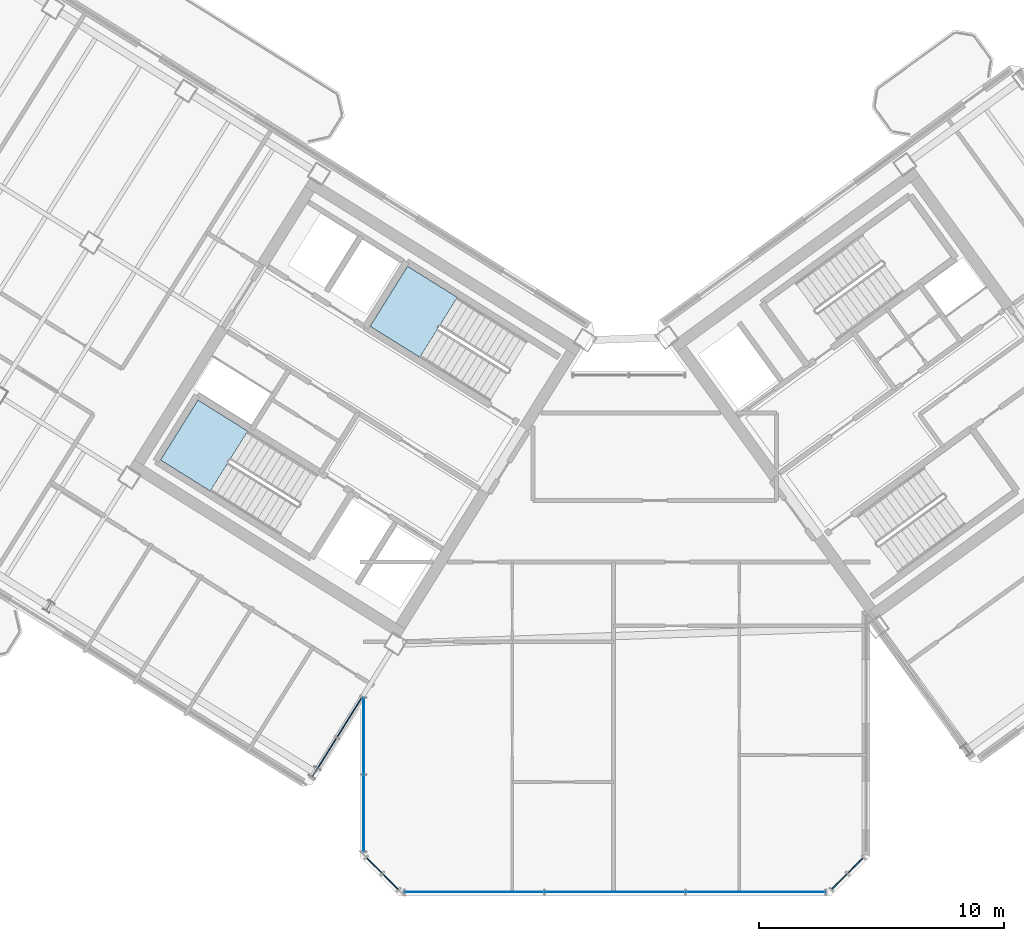
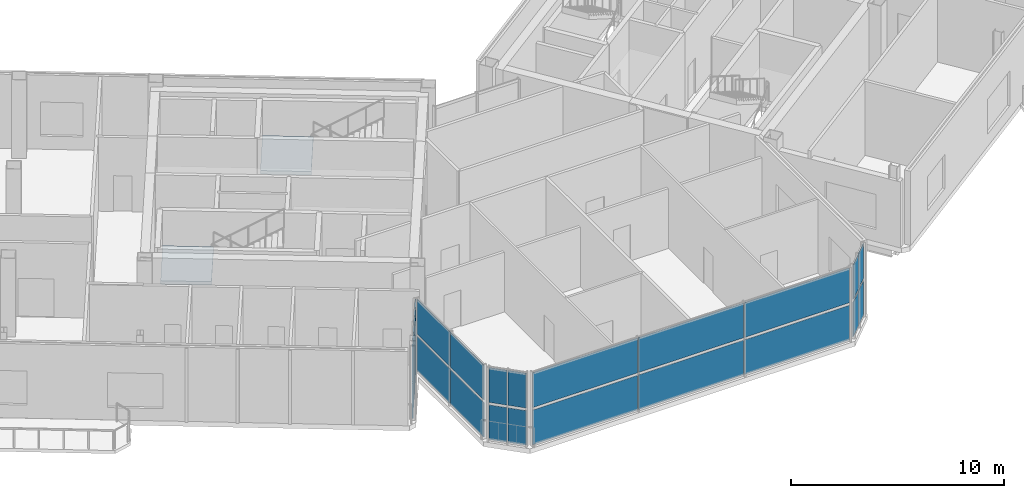
# One storey, part 14 of 27: 22 plates, 2 slabs, 7 elements without a shape of their own.
"""IFC4 building model written with IfcOpenShell, lengths in metres."""

from ifc_helpers import new_model, si_unit, direction, frame, origin, origin_2d, place, context, subcontext, project, spatial, polyline, rectangle, outline, extrude, source, transform, mapped, material, layer, layer_set, type_object, element, aggregate, save


model = new_model("IFC4")

# Units and contexts
model_context = context("Model", 3, precision=1e-05, world=origin(), true_north=direction((0.0, 1.0)))
body_context = subcontext(model_context, "Body", "Model", "MODEL_VIEW")
ifc_project = project(units=[si_unit("LENGTHUNIT", "METRE"), si_unit("AREAUNIT", "SQUARE_METRE"), si_unit("VOLUMEUNIT", "CUBIC_METRE"), si_unit("PLANEANGLEUNIT", "RADIAN"), si_unit("MASSUNIT", "GRAM", prefix="KILO")], contexts=[model_context])

# Site, building, storey
site_placement = place(None, origin())
site = spatial("IfcSite", under=ifc_project, at=site_placement, CompositionType="ELEMENT")
building_placement = place(site_placement, origin())
building = spatial("IfcBuilding", under=site, at=building_placement, Name="Tlacorven Tower", CompositionType="ELEMENT")
storey_placement = place(building_placement, frame((0.0, 0.0, 254.699951171875)))
storey = spatial("IfcBuildingStorey", under=building, at=storey_placement, Name="L64", CompositionType="ELEMENT", Elevation=254.699951171875)

# Stair, slab
ifc_material_1 = material(Name="Concrete C40/50", Category="concrete")
stair_type = type_object("IfcStairType", Name="ST-CORE-DLG", PredefinedType="HALF_TURN_STAIR", material=ifc_material_1)
stair_1_placement = place(storey_placement, origin())
stair_1 = element("IfcStair", 1, at=stair_1_placement, inside=storey, type_object=stair_type, Name="L64 Protected Exit Stair West 1", PredefinedType="HALF_TURN_STAIR")
ifc_layer_1 = layer(ifc_material_1, 0.199951171875)
ifc_layer_set_1 = layer_set([ifc_layer_1], Name="Concrete C40/50")
slab_type = type_object("IfcSlabType", Name="SL-LND-200", PredefinedType="LANDING", material=ifc_layer_set_1)
slab_1_placement = place(storey_placement, frame((0.0, 0.0, 2.050048828125)))
slab_1 = element("IfcSlab", 2, at=slab_1_placement, type_object=slab_type, Name="ST-W1 landing 1", PredefinedType="LANDING", context=body_context, shape_type="SweptSolid", body=[
    extrude(outline(polyline([(27.01611328125, 20.76025390625), (24.9892578125, 22.02685546875), (23.463134765625, 19.58447265625), (25.489990234375, 18.31787109375), (27.01611328125, 20.76025390625)])), origin(), (0.0, 0.0, 1.0), 0.199951171875),
])
aggregate(stair_1, [slab_1])

stair_2_placement = place(storey_placement, origin())
stair_2 = element("IfcStair", 3, at=stair_2_placement, inside=storey, type_object=stair_type, Name="L64 Protected Exit Stair West 2", PredefinedType="HALF_TURN_STAIR")
slab_2_placement = place(storey_placement, frame((0.0, 0.0, 2.050048828125)))
slab_2 = element("IfcSlab", 4, at=slab_2_placement, type_object=slab_type, Name="ST-W2 landing 1", PredefinedType="LANDING", context=body_context, shape_type="SweptSolid", body=[
    extrude(outline(polyline([(35.567626953125, 26.218017578125), (33.540771484375, 27.484375), (32.0146484375, 25.0419921875), (34.04150390625, 23.775634765625), (35.567626953125, 26.218017578125)])), origin(), (0.0, 0.0, 1.0), 0.199951171875),
])
aggregate(stair_2, [slab_2])

# Curtain wall, plates
ifc_material_2 = material(Name="Dark solar low-E double glazing in aluminium frame", Category="aluminium")
curtain_wall_type = type_object("IfcCurtainWallType", Name="CW-COM-AMENITY", PredefinedType="USERDEFINED", material=ifc_material_2)
curtain_wall_1_placement = place(storey_placement, origin())
curtain_wall_1 = element("IfcCurtainWall", 5, at=curtain_wall_1_placement, inside=storey, type_object=curtain_wall_type, Name="L64 CW-COM-AMENITY Curtain Wall 296", ObjectType="UNITISED CURTAIN WALL", PredefinedType="USERDEFINED")
ifc_material_3 = material(Name="Dark solar acoustic laminated low-E glazing", Category="glass")
ifc_layer_2 = layer(ifc_material_3, 0.035888671875)
ifc_layer_set_2 = layer_set([ifc_layer_2], Name="Dark solar acoustic laminated low-E glazing")
plate_type = type_object("IfcPlateType", Name="CWP-01", PredefinedType="CURTAIN_PANEL", material=ifc_layer_set_2)
shared_shape_1 = source(origin(), body_context, "Body", "SweptSolid", [
    extrude(rectangle(XDim=0.878173828125, YDim=0.035888671875, at=origin_2d()), origin(), (0.0, 0.0, 1.0), 1.98291015625),
])
plate_1_placement = place(storey_placement, frame((51.815673828125, 3.0419921875, 0.071044921875), z_axis=(0.0, 0.0, 1.0), x_axis=(-0.707106781187, -0.707106781187, 0.0)))
plate_1 = element("IfcPlate", 6, at=plate_1_placement, type_object=plate_type, Name="CW-L64-296 Glazing Panel 1", PredefinedType="CURTAIN_PANEL", context=body_context, shape_type="MappedRepresentation", body=[
    mapped(shared_shape_1, transform((0.0, 0.0, 0.0), scale=1.0)),
])
plate_2_placement = place(storey_placement, frame((51.815673828125, 3.0419921875, 2.196044921875), z_axis=(0.0, 0.0, 1.0), x_axis=(-0.707106781187, -0.707106781187, 0.0)))
plate_2 = element("IfcPlate", 7, at=plate_2_placement, type_object=plate_type, Name="CW-L64-296 Glazing Panel 2", PredefinedType="CURTAIN_PANEL", context=body_context, shape_type="MappedRepresentation", body=[
    mapped(shared_shape_1, transform((0.0, 0.0, 0.0), scale=1.0)),
])
plate_3_placement = place(storey_placement, frame((51.157958984375, 2.38427734375, 0.071044921875), z_axis=(0.0, 0.0, 1.0), x_axis=(-0.707106781187, -0.707106781187, 0.0)))
plate_3 = element("IfcPlate", 8, at=plate_3_placement, type_object=plate_type, Name="CW-L64-296 Glazing Panel 3", PredefinedType="CURTAIN_PANEL", context=body_context, shape_type="MappedRepresentation", body=[
    mapped(shared_shape_1, transform((0.0, 0.0, 0.0), scale=1.0)),
])
plate_4_placement = place(storey_placement, frame((51.157958984375, 2.38427734375, 2.196044921875), z_axis=(0.0, 0.0, 1.0), x_axis=(-0.707106781187, -0.707106781187, 0.0)))
plate_4 = element("IfcPlate", 9, at=plate_4_placement, type_object=plate_type, Name="CW-L64-296 Glazing Panel 4", PredefinedType="CURTAIN_PANEL", context=body_context, shape_type="MappedRepresentation", body=[
    mapped(shared_shape_1, transform((0.0, 0.0, 0.0), scale=1.0)),
])
aggregate(curtain_wall_1, [plate_1, plate_2, plate_3, plate_4])

curtain_wall_2_placement = place(storey_placement, origin())
curtain_wall_2 = element("IfcCurtainWall", 10, at=curtain_wall_2_placement, inside=storey, type_object=curtain_wall_type, Name="L64 CW-COM-AMENITY Curtain Wall 298", ObjectType="UNITISED CURTAIN WALL", PredefinedType="USERDEFINED")
plate_5_placement = place(storey_placement, frame((32.842041015625, 2.38427734375, 0.071044921875), z_axis=(0.0, 0.0, 1.0), x_axis=(-0.707106781187, 0.707106781187, 0.0)))
plate_5 = element("IfcPlate", 11, at=plate_5_placement, type_object=plate_type, Name="CW-L64-298 Glazing Panel 1", PredefinedType="CURTAIN_PANEL", context=body_context, shape_type="MappedRepresentation", body=[
    mapped(shared_shape_1, transform((0.0, 0.0, 0.0), scale=1.0)),
])
plate_6_placement = place(storey_placement, frame((32.842041015625, 2.38427734375, 2.196044921875), z_axis=(0.0, 0.0, 1.0), x_axis=(-0.707106781187, 0.707106781187, 0.0)))
plate_6 = element("IfcPlate", 12, at=plate_6_placement, type_object=plate_type, Name="CW-L64-298 Glazing Panel 2", PredefinedType="CURTAIN_PANEL", context=body_context, shape_type="MappedRepresentation", body=[
    mapped(shared_shape_1, transform((0.0, 0.0, 0.0), scale=1.0)),
])
plate_7_placement = place(storey_placement, frame((32.184326171875, 3.0419921875, 0.071044921875), z_axis=(0.0, 0.0, 1.0), x_axis=(-0.707106781187, 0.707106781187, 0.0)))
plate_7 = element("IfcPlate", 13, at=plate_7_placement, type_object=plate_type, Name="CW-L64-298 Glazing Panel 3", PredefinedType="CURTAIN_PANEL", context=body_context, shape_type="MappedRepresentation", body=[
    mapped(shared_shape_1, transform((0.0, 0.0, 0.0), scale=1.0)),
])
plate_8_placement = place(storey_placement, frame((32.184326171875, 3.0419921875, 2.196044921875), z_axis=(0.0, 0.0, 1.0), x_axis=(-0.707106781187, 0.707106781187, 0.0)))
plate_8 = element("IfcPlate", 14, at=plate_8_placement, type_object=plate_type, Name="CW-L64-298 Glazing Panel 4", PredefinedType="CURTAIN_PANEL", context=body_context, shape_type="MappedRepresentation", body=[
    mapped(shared_shape_1, transform((0.0, 0.0, 0.0), scale=1.0)),
])
aggregate(curtain_wall_2, [plate_5, plate_6, plate_7, plate_8])

curtain_wall_3_placement = place(storey_placement, origin())
curtain_wall_3 = element("IfcCurtainWall", 15, at=curtain_wall_3_placement, inside=storey, type_object=curtain_wall_type, Name="L64 CW-COM-AMENITY Curtain Wall 297", ObjectType="UNITISED CURTAIN WALL", PredefinedType="USERDEFINED")
shared_shape_2 = source(origin(), body_context, "Body", "SweptSolid", [
    extrude(rectangle(XDim=5.668701171875, YDim=0.035888671875, at=origin_2d()), origin(), (0.0, 0.0, 1.0), 1.98291015625),
])
plate_9_placement = place(storey_placement, frame((47.73828125, 1.9599609375, 0.071044921875), z_axis=(0.0, 0.0, 1.0), x_axis=(-1.0, 0.0, 0.0)))
plate_9 = element("IfcPlate", 16, at=plate_9_placement, type_object=plate_type, Name="CW-L64-297 Glazing Panel 1", PredefinedType="CURTAIN_PANEL", context=body_context, shape_type="MappedRepresentation", body=[
    mapped(shared_shape_2, transform((0.0, 0.0, 0.0), scale=1.0)),
])
plate_10_placement = place(storey_placement, frame((47.73828125, 1.9599609375, 2.196044921875), z_axis=(0.0, 0.0, 1.0), x_axis=(-1.0, 0.0, 0.0)))
plate_10 = element("IfcPlate", 17, at=plate_10_placement, type_object=plate_type, Name="CW-L64-297 Glazing Panel 2", PredefinedType="CURTAIN_PANEL", context=body_context, shape_type="MappedRepresentation", body=[
    mapped(shared_shape_2, transform((0.0, 0.0, 0.0), scale=1.0)),
])
plate_11_placement = place(storey_placement, frame((36.26171875, 1.9599609375, 0.071044921875), z_axis=(0.0, 0.0, 1.0), x_axis=(-1.0, 0.0, 0.0)))
plate_11 = element("IfcPlate", 18, at=plate_11_placement, type_object=plate_type, Name="CW-L64-297 Glazing Panel 5", PredefinedType="CURTAIN_PANEL", context=body_context, shape_type="MappedRepresentation", body=[
    mapped(shared_shape_2, transform((0.0, 0.0, 0.0), scale=1.0)),
])
plate_12_placement = place(storey_placement, frame((36.26171875, 1.9599609375, 2.196044921875), z_axis=(0.0, 0.0, 1.0), x_axis=(-1.0, 0.0, 0.0)))
plate_12 = element("IfcPlate", 19, at=plate_12_placement, type_object=plate_type, Name="CW-L64-297 Glazing Panel 6", PredefinedType="CURTAIN_PANEL", context=body_context, shape_type="MappedRepresentation", body=[
    mapped(shared_shape_2, transform((0.0, 0.0, 0.0), scale=1.0)),
])
shared_shape_3 = source(origin(), body_context, "Body", "SweptSolid", [
    extrude(rectangle(XDim=5.703857421875, YDim=0.035888671875, at=origin_2d()), origin(), (0.0, 0.0, 1.0), 1.98291015625),
])
plate_13_placement = place(storey_placement, frame((42.0, 1.9599609375, 0.071044921875), z_axis=(0.0, 0.0, 1.0), x_axis=(-1.0, 0.0, 0.0)))
plate_13 = element("IfcPlate", 20, at=plate_13_placement, type_object=plate_type, Name="CW-L64-297 Glazing Panel 3", PredefinedType="CURTAIN_PANEL", context=body_context, shape_type="MappedRepresentation", body=[
    mapped(shared_shape_3, transform((0.0, 0.0, 0.0), scale=1.0)),
])
plate_14_placement = place(storey_placement, frame((42.0, 1.9599609375, 2.196044921875), z_axis=(0.0, 0.0, 1.0), x_axis=(-1.0, 0.0, 0.0)))
plate_14 = element("IfcPlate", 21, at=plate_14_placement, type_object=plate_type, Name="CW-L64-297 Glazing Panel 4", PredefinedType="CURTAIN_PANEL", context=body_context, shape_type="MappedRepresentation", body=[
    mapped(shared_shape_3, transform((0.0, 0.0, 0.0), scale=1.0)),
])
aggregate(curtain_wall_3, [plate_9, plate_10, plate_13, plate_14, plate_11, plate_12])

curtain_wall_4_placement = place(storey_placement, origin())
curtain_wall_4 = element("IfcCurtainWall", 22, at=curtain_wall_4_placement, inside=storey, type_object=curtain_wall_type, Name="L64 CW-COM-AMENITY Curtain Wall 299", ObjectType="UNITISED CURTAIN WALL", PredefinedType="USERDEFINED")
shared_shape_4 = source(origin(), body_context, "Body", "SweptSolid", [
    extrude(rectangle(XDim=3.09423828125, YDim=0.035888671875, at=origin_2d()), origin(), (0.0, 0.0, 1.0), 1.98291015625),
])
plate_15_placement = place(storey_placement, frame((31.760009765625, 5.17431640625, 0.071044921875), z_axis=(0.0, 0.0, 1.0), x_axis=(0.0, 1.0, 0.0)))
plate_15 = element("IfcPlate", 23, at=plate_15_placement, type_object=plate_type, Name="CW-L64-299 Glazing Panel 1", PredefinedType="CURTAIN_PANEL", context=body_context, shape_type="MappedRepresentation", body=[
    mapped(shared_shape_4, transform((0.0, 0.0, 0.0), scale=1.0)),
])
plate_16_placement = place(storey_placement, frame((31.760009765625, 5.17431640625, 2.196044921875), z_axis=(0.0, 0.0, 1.0), x_axis=(0.0, 1.0, 0.0)))
plate_16 = element("IfcPlate", 24, at=plate_16_placement, type_object=plate_type, Name="CW-L64-299 Glazing Panel 2", PredefinedType="CURTAIN_PANEL", context=body_context, shape_type="MappedRepresentation", body=[
    mapped(shared_shape_4, transform((0.0, 0.0, 0.0), scale=1.0)),
])
plate_17_placement = place(storey_placement, frame((31.760009765625, 8.320556640625, 0.071044921875), z_axis=(0.0, 0.0, 1.0), x_axis=(0.0, 1.0, 0.0)))
plate_17 = element("IfcPlate", 25, at=plate_17_placement, type_object=plate_type, Name="CW-L64-299 Glazing Panel 3", PredefinedType="CURTAIN_PANEL", context=body_context, shape_type="MappedRepresentation", body=[
    mapped(shared_shape_4, transform((0.0, 0.0, 0.0), scale=1.0)),
])
plate_18_placement = place(storey_placement, frame((31.760009765625, 8.320556640625, 2.196044921875), z_axis=(0.0, 0.0, 1.0), x_axis=(0.0, 1.0, 0.0)))
plate_18 = element("IfcPlate", 26, at=plate_18_placement, type_object=plate_type, Name="CW-L64-299 Glazing Panel 4", PredefinedType="CURTAIN_PANEL", context=body_context, shape_type="MappedRepresentation", body=[
    mapped(shared_shape_4, transform((0.0, 0.0, 0.0), scale=1.0)),
])
aggregate(curtain_wall_4, [plate_15, plate_16, plate_17, plate_18])

curtain_wall_5_placement = place(storey_placement, origin())
curtain_wall_5 = element("IfcCurtainWall", 27, at=curtain_wall_5_placement, inside=storey, type_object=curtain_wall_type, Name="L64 CW-COM-AMENITY Curtain Wall 300", ObjectType="UNITISED CURTAIN WALL", PredefinedType="USERDEFINED")
shared_shape_5 = source(origin(), body_context, "Body", "SweptSolid", [
    extrude(rectangle(XDim=1.896240234375, YDim=0.035888671875, at=origin_2d()), origin(), (0.0, 0.0, 1.0), 1.98291015625),
])
plate_19_placement = place(storey_placement, frame((31.172119140625, 9.087890625, 0.071044921875), z_axis=(0.0, 0.0, 1.0), x_axis=(-0.529918710919, -0.848048441905, 0.0)))
plate_19 = element("IfcPlate", 28, at=plate_19_placement, type_object=plate_type, Name="CW-L64-300 Glazing Panel 1", PredefinedType="CURTAIN_PANEL", context=body_context, shape_type="MappedRepresentation", body=[
    mapped(shared_shape_5, transform((0.0, 0.0, 0.0), scale=1.0)),
])
plate_20_placement = place(storey_placement, frame((31.172119140625, 9.087890625, 2.196044921875), z_axis=(0.0, 0.0, 1.0), x_axis=(-0.529918710919, -0.848048441905, 0.0)))
plate_20 = element("IfcPlate", 29, at=plate_20_placement, type_object=plate_type, Name="CW-L64-300 Glazing Panel 2", PredefinedType="CURTAIN_PANEL", context=body_context, shape_type="MappedRepresentation", body=[
    mapped(shared_shape_5, transform((0.0, 0.0, 0.0), scale=1.0)),
])
plate_21_placement = place(storey_placement, frame((30.1396484375, 7.435791015625, 0.071044921875), z_axis=(0.0, 0.0, 1.0), x_axis=(-0.529918710919, -0.848048441905, 0.0)))
plate_21 = element("IfcPlate", 30, at=plate_21_placement, type_object=plate_type, Name="CW-L64-300 Glazing Panel 3", PredefinedType="CURTAIN_PANEL", context=body_context, shape_type="MappedRepresentation", body=[
    mapped(shared_shape_5, transform((0.0, 0.0, 0.0), scale=1.0)),
])
plate_22_placement = place(storey_placement, frame((30.1396484375, 7.435791015625, 2.196044921875), z_axis=(0.0, 0.0, 1.0), x_axis=(-0.529918710919, -0.848048441905, 0.0)))
plate_22 = element("IfcPlate", 31, at=plate_22_placement, type_object=plate_type, Name="CW-L64-300 Glazing Panel 4", PredefinedType="CURTAIN_PANEL", context=body_context, shape_type="MappedRepresentation", body=[
    mapped(shared_shape_5, transform((0.0, 0.0, 0.0), scale=1.0)),
])
aggregate(curtain_wall_5, [plate_19, plate_20, plate_21, plate_22])

save(model, "model.ifc")
